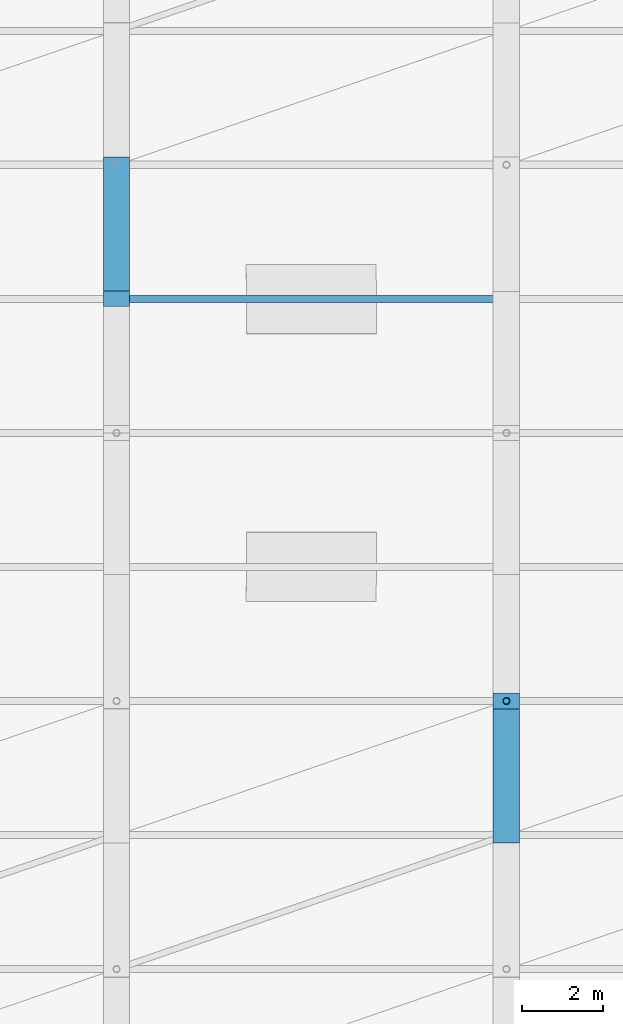
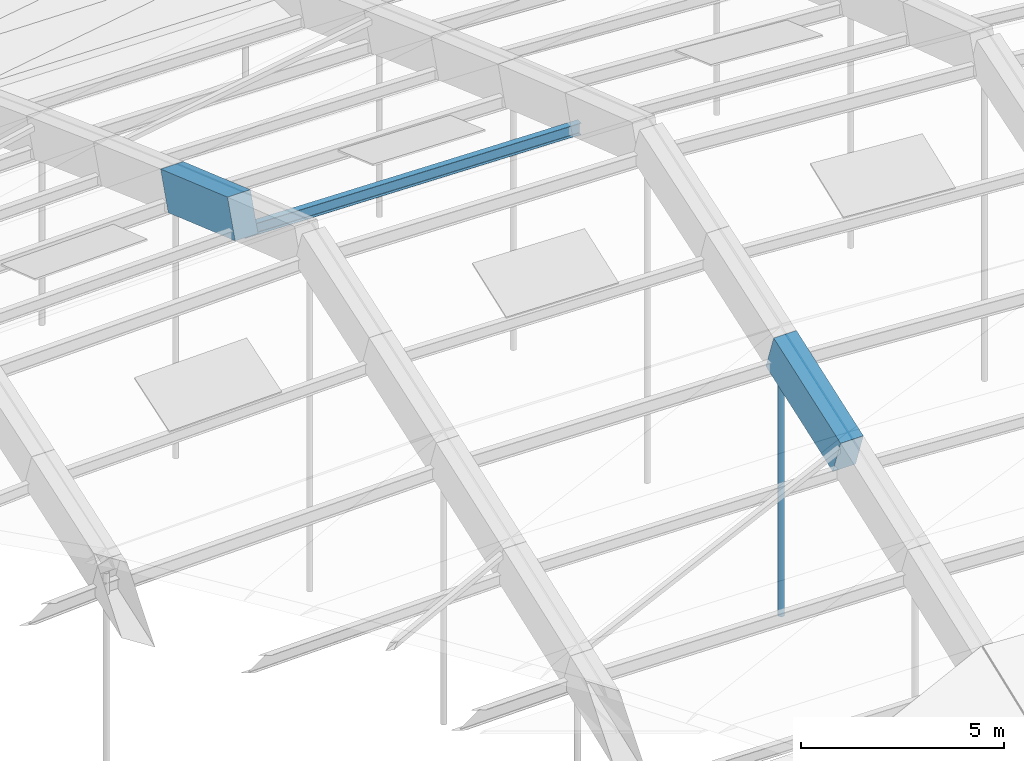
# One storey, part 16 of 43: 2 beams, 2 members.
"""IFC4 building model written with IfcOpenShell, lengths in metres."""

from ifc_helpers import new_model, si_unit, direction, frame, origin, origin_2d, place, context, subcontext, project, spatial, rectangle, hollow_circle, i_section, extrude, material, material_profile, profile_set, type_object, element, save


model = new_model("IFC4")

# Units and contexts
model_context = context("Model", 3, precision=1e-05, world=origin(), true_north=direction((0.0, 1.0)))
body_context = subcontext(model_context, "Body", "Model", "MODEL_VIEW")
ifc_project = project(units=[si_unit("LENGTHUNIT", "METRE"), si_unit("AREAUNIT", "SQUARE_METRE"), si_unit("VOLUMEUNIT", "CUBIC_METRE"), si_unit("PLANEANGLEUNIT", "RADIAN"), si_unit("MASSUNIT", "GRAM", prefix="KILO")], contexts=[model_context])

# Site, building, storey
site_placement = place(None, origin())
site = spatial("IfcSite", under=ifc_project, at=site_placement, CompositionType="ELEMENT")
building_placement = place(site_placement, origin())
building = spatial("IfcBuilding", under=site, at=building_placement, Name="Chalmorin Arch Market", CompositionType="ELEMENT")
storey_placement = place(building_placement, frame((0.0, 0.0, 18.60009765625)))
storey = spatial("IfcBuildingStorey", under=building, at=storey_placement, Name="RF", CompositionType="ELEMENT", Elevation=18.60009765625)

# Member
ifc_material_1 = material(Name="Steel A500 Grade C", Category="steel")
ifc_material_profile_1 = material_profile(ifc_material_1, hollow_circle(Radius=0.084228515625, WallThickness=0.007080078125, at=origin_2d()), Name="CHS168X7")
ifc_profile_set_1 = profile_set([ifc_material_profile_1], Name="Steel A500 Grade C")
member_type_1 = type_object("IfcMemberType", Name="ArchHangerTie-CHS168", PredefinedType="CHORD", material=ifc_profile_set_1)
member_1_placement = place(storey_placement, frame((96.0, 25.800048828125, -2.552978515625), z_axis=(0.0, 0.0, 1.0), x_axis=(1.0, 0.0, 0.0)))
element("IfcMember", 1, at=member_1_placement, inside=storey, type_object=member_type_1, Name="HT-CH168-0165", PredefinedType="CHORD", context=body_context, shape_type="SweptSolid", body=[
    extrude(hollow_circle(Radius=0.084228515625, WallThickness=0.007080078125, at=origin_2d()), origin(), (0.0, 0.0, 1.0), 8.019775390625),
])

# Beams
ifc_material_2 = material(Name="Concrete C50/60", Category="concrete")
ifc_material_profile_2 = material_profile(ifc_material_2, rectangle(XDim=0.64990234375, YDim=1.14990234375, at=origin_2d()), Name="RC650X1150")
ifc_profile_set_2 = profile_set([ifc_material_profile_2], Name="Concrete C50/60")
beam_type = type_object("IfcBeamType", Name="ArchRibChord-650x1150", PredefinedType="BEAM", material=ifc_profile_set_2)
beam_1_placement = place(storey_placement, frame((86.39990234375, 35.699951171875, 6.826416015625), z_axis=(0.0, 0.943922571755, -0.330166894966), x_axis=(-1.0, 0.0, 0.0)))
element("IfcBeam", 2, at=beam_1_placement, inside=storey, type_object=beam_type, Name="AR-01-1670", PredefinedType="BEAM", context=body_context, shape_type="SweptSolid", body=[
    extrude(rectangle(XDim=0.64990234375, YDim=1.14990234375, at=origin_2d()), origin(), (0.0, 0.0, 1.0), 3.49609375),
])
beam_2_placement = place(storey_placement, frame((96.0, 22.5, 4.2978515625), z_axis=(0.0, 0.942611222356, 0.333892323196), x_axis=(-1.0, 0.0, 0.0)))
element("IfcBeam", 3, at=beam_2_placement, inside=storey, type_object=beam_type, Name="AR-01-1685", PredefinedType="BEAM", context=body_context, shape_type="SweptSolid", body=[
    extrude(rectangle(XDim=0.64990234375, YDim=1.14990234375, at=origin_2d()), origin(), (0.0, 0.0, 1.0), 3.5009765625),
])

# Member
ifc_material_3 = material(Name="Steel A992 Grade 50", Category="steel")
ifc_material_profile_3 = material_profile(ifc_material_3, i_section(OverallWidth=0.1708984375, OverallDepth=0.35107421875, WebThickness=0.0068359375, FlangeThickness=0.009765625, FilletRadius=0.014892578125, at=origin_2d()), Name="W14X30")
ifc_profile_set_3 = profile_set([ifc_material_profile_3], Name="Steel A992 Grade 50")
member_type_2 = type_object("IfcMemberType", Name="RoofSteelPurlin-W14X30", PredefinedType="PURLIN", material=ifc_profile_set_3)
member_2_placement = place(storey_placement, frame((86.419921875, 35.699951171875, 6.346435546875), z_axis=(0.999733036295, 0.0, -0.023105327081), x_axis=(0.0, 1.0, 0.0)))
element("IfcMember", 4, at=member_2_placement, inside=storey, type_object=member_type_2, Name="PR-W14-0269", PredefinedType="PURLIN", context=body_context, shape_type="SweptSolid", body=[
    extrude(i_section(OverallWidth=0.1708984375, OverallDepth=0.35107421875, WebThickness=0.0068359375, FlangeThickness=0.009765625, FilletRadius=0.014892578125, at=origin_2d()), origin(), (0.0, 0.0, 1.0), 9.5625),
])

save(model, "model.ifc")
